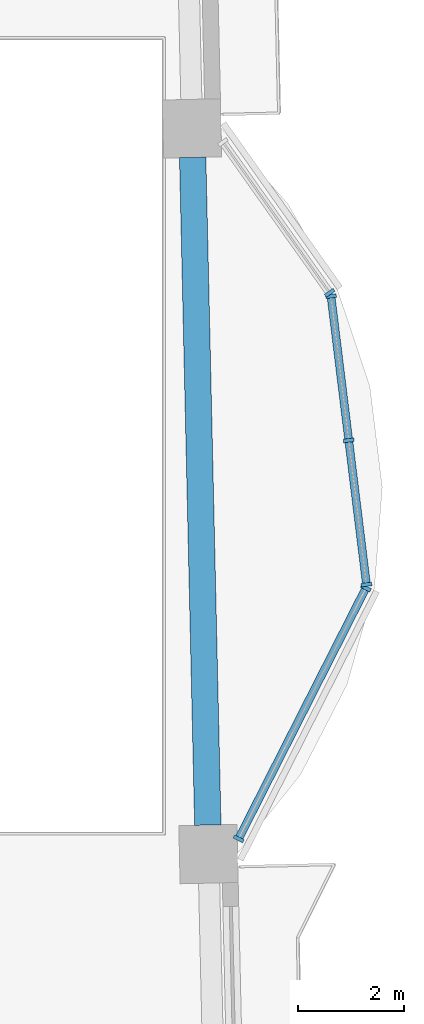
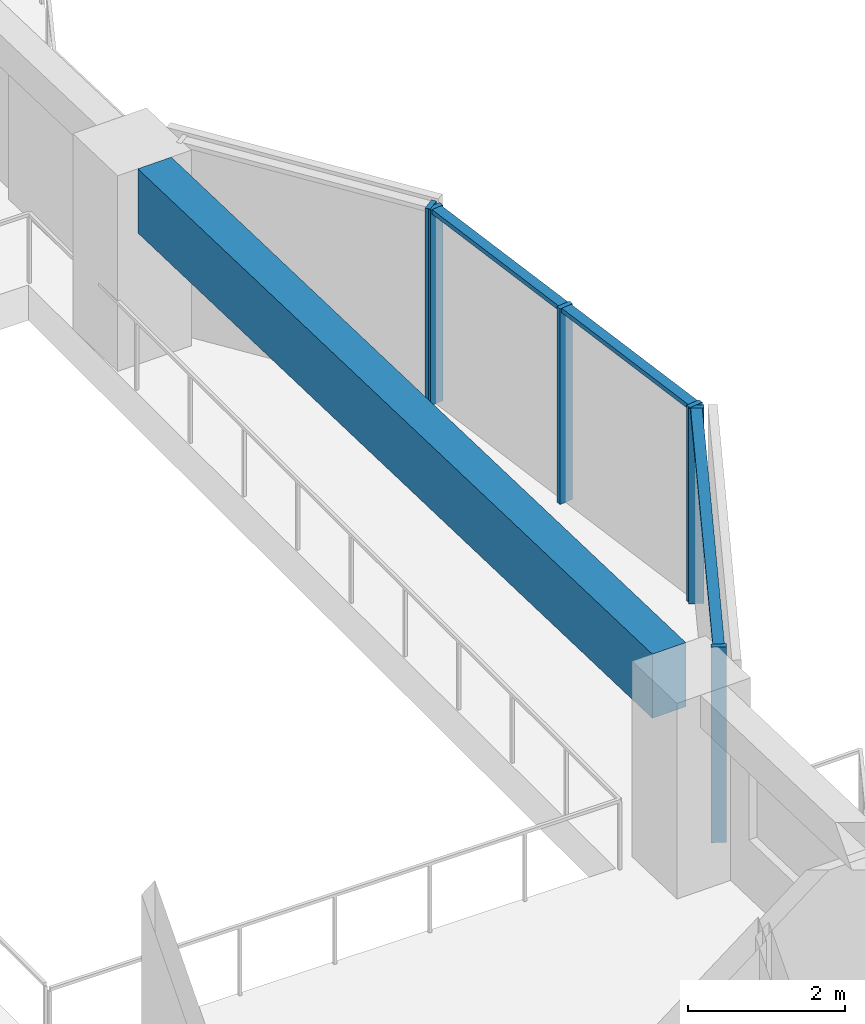
# One storey, part 2 of 17: 9 members, 1 beam, 3 elements without a shape of their own.
"""IFC4 building model written with IfcOpenShell, lengths in metres."""

from ifc_helpers import new_model, si_unit, direction, frame, origin, origin_2d, place, context, subcontext, project, spatial, rectangle, extrude, material, material_profile, profile_set, type_object, element, aggregate, save


model = new_model("IFC4")

# Units and contexts
model_context = context("Model", 3, precision=1e-05, world=origin(), true_north=direction((0.0, 1.0)))
body_context = subcontext(model_context, "Body", "Model", "MODEL_VIEW")
ifc_project = project(units=[si_unit("LENGTHUNIT", "METRE"), si_unit("AREAUNIT", "SQUARE_METRE"), si_unit("VOLUMEUNIT", "CUBIC_METRE"), si_unit("PLANEANGLEUNIT", "RADIAN"), si_unit("MASSUNIT", "GRAM", prefix="KILO")], contexts=[model_context])

# Site, building, storey
site_placement = place(None, origin())
site = spatial("IfcSite", under=ifc_project, at=site_placement, CompositionType="ELEMENT")
building_placement = place(site_placement, origin())
building = spatial("IfcBuilding", under=site, at=building_placement, Name="Mangrove Gate Tower", CompositionType="ELEMENT")
storey_placement = place(building_placement, frame((0.0, 0.0, 234.699951171875)))
storey = spatial("IfcBuildingStorey", under=building, at=storey_placement, Name="L59", CompositionType="ELEMENT", Elevation=234.699951171875)

# Curtain wall, members
ifc_material_1 = material(Name="Aluminium and glass curtain wall", Category="aluminium")
curtain_wall_type = type_object("IfcCurtainWallType", Name="Atrium garden-court glazing wall", PredefinedType="NOTDEFINED", material=ifc_material_1)
curtain_wall_1_placement = place(storey_placement, origin())
curtain_wall_1 = element("IfcCurtainWall", 1, at=curtain_wall_1_placement, inside=storey, type_object=curtain_wall_type, Name="Atrium garden-court glazing E1f1", PredefinedType="NOTDEFINED")
ifc_material_2 = material(Name="Aluminium alloy 6063-T6", Category="aluminium")
ifc_material_profile_1 = material_profile(ifc_material_2, rectangle(XDim=0.070068359375, YDim=0.199951171875, at=origin_2d()))
ifc_profile_set_1 = profile_set([ifc_material_profile_1], Name="Aluminium alloy 6063-T6")
member_type_1 = type_object("IfcMemberType", Name="Atrium garden-court glazing mullion 70x200", PredefinedType="MULLION", material=ifc_profile_set_1)
member_1_placement = place(storey_placement, frame((25.67333984375, -7.632080078125, 0.0), z_axis=(0.0, 0.0, 1.0), x_axis=(0.452597795636, 0.891714772439, 0.0)))
member_1 = element("IfcMember", 2, at=member_1_placement, type_object=member_type_1, Name="CWA mullion 1", PredefinedType="MULLION", context=body_context, shape_type="SweptSolid", body=[
    extrude(rectangle(XDim=0.070068359375, YDim=0.199951171875, at=origin_2d()), origin(), (0.0, 0.0, 1.0), 3.050048828125),
])
member_2_placement = place(storey_placement, frame((28.084716796875, -2.881103515625, 0.0), z_axis=(0.0, 0.0, 1.0), x_axis=(0.452597795636, 0.891714772439, 0.0)))
member_2 = element("IfcMember", 3, at=member_2_placement, type_object=member_type_1, Name="CWA mullion 2", PredefinedType="MULLION", context=body_context, shape_type="SweptSolid", body=[
    extrude(rectangle(XDim=0.070068359375, YDim=0.199951171875, at=origin_2d()), origin(), (0.0, 0.0, 1.0), 3.050048828125),
])

curtain_wall_2_placement = place(storey_placement, origin())
curtain_wall_2 = element("IfcCurtainWall", 4, at=curtain_wall_2_placement, inside=storey, type_object=curtain_wall_type, Name="Atrium garden-court glazing E1f2", PredefinedType="NOTDEFINED")
member_3_placement = place(storey_placement, frame((28.09619140625, -2.815185546875, 0.0), z_axis=(0.0, 0.0, 1.0), x_axis=(-0.122172285885, 0.992508908051, 0.0)))
member_3 = element("IfcMember", 5, at=member_3_placement, type_object=member_type_1, Name="CWA mullion 1", PredefinedType="MULLION", context=body_context, shape_type="SweptSolid", body=[
    extrude(rectangle(XDim=0.070068359375, YDim=0.199951171875, at=origin_2d()), origin(), (0.0, 0.0, 1.0), 3.050048828125),
])
member_4_placement = place(storey_placement, frame((27.760009765625, -0.083984375, 0.0), z_axis=(0.0, 0.0, 1.0), x_axis=(-0.122172285885, 0.992508908051, 0.0)))
member_4 = element("IfcMember", 6, at=member_4_placement, type_object=member_type_1, Name="CWA mullion 2", PredefinedType="MULLION", context=body_context, shape_type="SweptSolid", body=[
    extrude(rectangle(XDim=0.070068359375, YDim=0.199951171875, at=origin_2d()), origin(), (0.0, 0.0, 1.0), 3.050048828125),
])
member_5_placement = place(storey_placement, frame((27.423828125, 2.647216796875, 0.0), z_axis=(0.0, 0.0, 1.0), x_axis=(-0.122172285885, 0.992508908051, 0.0)))
member_5 = element("IfcMember", 7, at=member_5_placement, type_object=member_type_1, Name="CWA mullion 3", PredefinedType="MULLION", context=body_context, shape_type="SweptSolid", body=[
    extrude(rectangle(XDim=0.070068359375, YDim=0.199951171875, at=origin_2d()), origin(), (0.0, 0.0, 1.0), 3.050048828125),
])

# Curtain wall, member
curtain_wall_3_placement = place(storey_placement, origin())
curtain_wall_3 = element("IfcCurtainWall", 8, at=curtain_wall_3_placement, inside=storey, type_object=curtain_wall_type, Name="Atrium garden-court glazing E1f3", PredefinedType="NOTDEFINED")
member_6_placement = place(storey_placement, frame((27.3994140625, 2.71044921875, 0.0), z_axis=(0.0, 0.0, 1.0), x_axis=(-0.578120908245, 0.815951110944, 0.0)))
member_6 = element("IfcMember", 9, at=member_6_placement, type_object=member_type_1, Name="CWA mullion 1", PredefinedType="MULLION", context=body_context, shape_type="SweptSolid", body=[
    extrude(rectangle(XDim=0.070068359375, YDim=0.199951171875, at=origin_2d()), origin(), (0.0, 0.0, 1.0), 3.050048828125),
])
aggregate(curtain_wall_3, [member_6])

# Member
ifc_material_3 = material(Name="Aluminium alloy 6063-T6", Category="aluminium")
ifc_material_profile_2 = material_profile(ifc_material_3, rectangle(XDim=0.070068359375, YDim=0.14990234375, at=origin_2d()))
ifc_profile_set_2 = profile_set([ifc_material_profile_2], Name="Aluminium alloy 6063-T6")
member_type_2 = type_object("IfcMemberType", Name="Atrium garden-court glazing transom 70x150", PredefinedType="USERDEFINED", material=ifc_profile_set_2)
member_7_placement = place(storey_placement, frame((25.689208984375, -7.600830078125, 3.01513671875), z_axis=(0.452591825712, 0.891717802502, 0.0), x_axis=(0.0, 0.0, 1.0)))
member_7 = element("IfcMember", 10, at=member_7_placement, type_object=member_type_2, Name="CWA transom 1.2", ObjectType="TRANSOM", PredefinedType="USERDEFINED", context=body_context, shape_type="SweptSolid", body=[
    extrude(rectangle(XDim=0.070068359375, YDim=0.14990234375, at=origin_2d()), origin(), (0.0, 0.0, 1.0), 5.2578125),
])

aggregate(curtain_wall_1, [member_1, member_2, member_7])

member_8_placement = place(storey_placement, frame((28.092041015625, -2.7802734375, 3.01513671875), z_axis=(-0.122174517154, 0.992508633392, 0.0), x_axis=(0.0, 0.0, 1.0)))
member_8 = element("IfcMember", 11, at=member_8_placement, type_object=member_type_2, Name="CWA transom 1.2", ObjectType="TRANSOM", PredefinedType="USERDEFINED", context=body_context, shape_type="SweptSolid", body=[
    extrude(rectangle(XDim=0.070068359375, YDim=0.14990234375, at=origin_2d()), origin(), (0.0, 0.0, 1.0), 2.681640625),
])

member_9_placement = place(storey_placement, frame((27.755859375, -0.04931640625, 3.01513671875), z_axis=(-0.122174517154, 0.992508633392, 0.0), x_axis=(0.0, 0.0, 1.0)))
member_9 = element("IfcMember", 12, at=member_9_placement, type_object=member_type_2, Name="CWA transom 2.2", ObjectType="TRANSOM", PredefinedType="USERDEFINED", context=body_context, shape_type="SweptSolid", body=[
    extrude(rectangle(XDim=0.070068359375, YDim=0.14990234375, at=origin_2d()), origin(), (0.0, 0.0, 1.0), 2.681640625),
])

aggregate(curtain_wall_2, [member_3, member_4, member_5, member_8, member_9])

# Beam
ifc_material_4 = material(Name="Concrete C50/60", Category="concrete")
ifc_material_profile_3 = material_profile(ifc_material_4, rectangle(XDim=0.5, YDim=1.0, at=origin_2d()))
ifc_profile_set_3 = profile_set([ifc_material_profile_3], Name="Concrete C50/60")
beam_type = type_object("IfcBeamType", Name="Edge beam RC 500x1000 C50/60", PredefinedType="BEAM", material=ifc_profile_set_3)
beam_placement = place(storey_placement, frame((25.090576171875, -7.37158203125, 2.550048828125), z_axis=(-0.022676251595, 0.999742860747, 0.0), x_axis=(-0.999742860747, -0.022676251595, 0.0)))
element("IfcBeam", 13, at=beam_placement, inside=storey, type_object=beam_type, Name="Edge beam L59 14", PredefinedType="BEAM", context=body_context, shape_type="SweptSolid", body=[
    extrude(rectangle(XDim=0.5, YDim=1.0, at=origin_2d()), origin(), (0.0, 0.0, 1.0), 12.650390625),
])

save(model, "model.ifc")
